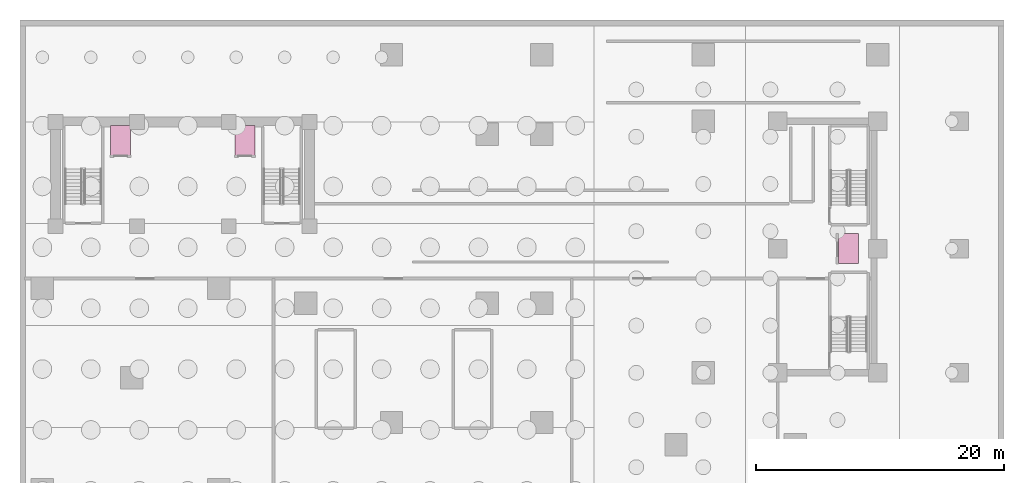
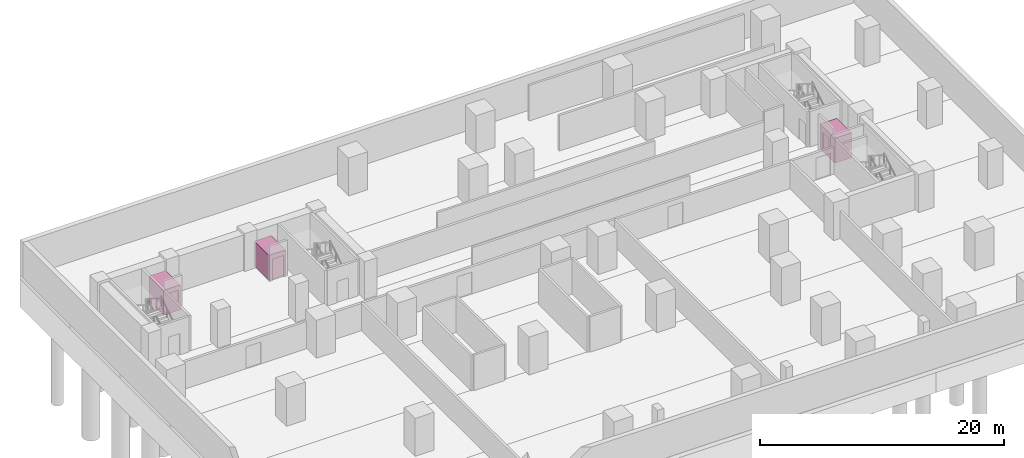
# One storey, part 7 of 7: 3 transport elements.
"""IFC4 building model written with IfcOpenShell, lengths in metres."""

from ifc_helpers import new_model, si_unit, direction, frame, origin, origin_2d, place, context, subcontext, project, spatial, rectangle, extrude, material, type_object, element, save


model = new_model("IFC4")

# Units and contexts
model_context = context("Model", 3, precision=1e-05, world=origin(), true_north=direction((0.0, 1.0)))
body_context = subcontext(model_context, "Body", "Model", "MODEL_VIEW")
ifc_project = project(units=[si_unit("LENGTHUNIT", "METRE"), si_unit("AREAUNIT", "SQUARE_METRE"), si_unit("VOLUMEUNIT", "CUBIC_METRE"), si_unit("PLANEANGLEUNIT", "RADIAN"), si_unit("MASSUNIT", "GRAM", prefix="KILO")], contexts=[model_context])

# Site, building, storey
site_placement = place(None, origin())
site = spatial("IfcSite", under=ifc_project, at=site_placement, CompositionType="ELEMENT")
building_placement = place(site_placement, origin())
building = spatial("IfcBuilding", under=site, at=building_placement, Name="Kuzgunbayir Cultural Tower", CompositionType="ELEMENT")
storey_placement = place(building_placement, frame((0.0, 0.0, -11.39990234375)))
storey = spatial("IfcBuildingStorey", under=building, at=storey_placement, Name="B03", CompositionType="ELEMENT", Elevation=-11.39990234375)

# Transport elements
ifc_material = material(Name="Fire-Rated Stainless Steel", Category="steel")
transport_element_type = type_object("IfcTransportElementType", Name="LFT-FIRE-2000", PredefinedType="ELEVATOR", material=ifc_material)
for number, where, z_axis, x_axis, name in (
    (1, (11.699951171875, 40.699951171875, 0.0), (0.0, 0.0, 1.0), (1.0, 0.0, 0.0), "Elevator FFL-1"),
    (2, (21.699951171875, 40.699951171875, 0.0), (0.0, 0.0, 1.0), (1.0, 0.0, 0.0), "Elevator FFL-2"),
    (3, (70.300048828125, 32.0, 0.0), (0.0, 0.0, 1.0), (1.0, 0.0, 0.0), "Elevator FFL-3"),
):
    element("IfcTransportElement", number, at=place(storey_placement, frame(where, z_axis=z_axis, x_axis=x_axis)), inside=storey, type_object=transport_element_type, Name=name, PredefinedType="ELEVATOR", context=body_context, shape_type="SweptSolid", body=[
        extrude(rectangle(XDim=1.60009765625, YDim=2.39990234375, at=origin_2d()), origin(), (0.0, 0.0, 1.0), 2.5),
    ])

save(model, "model.ifc")
